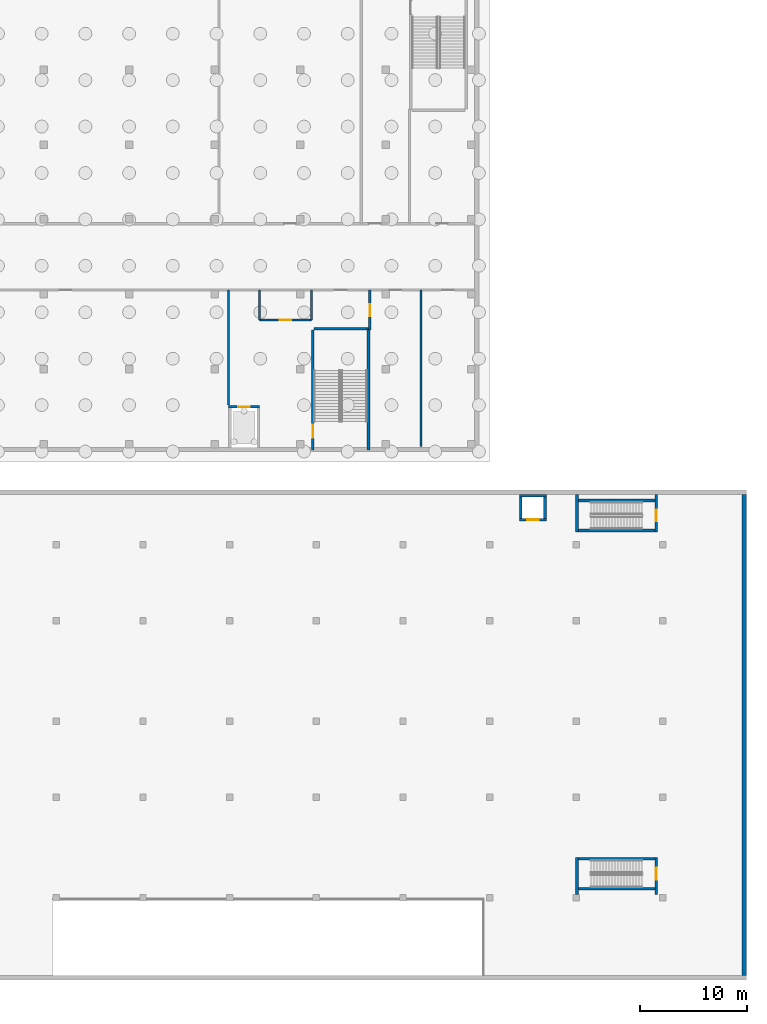
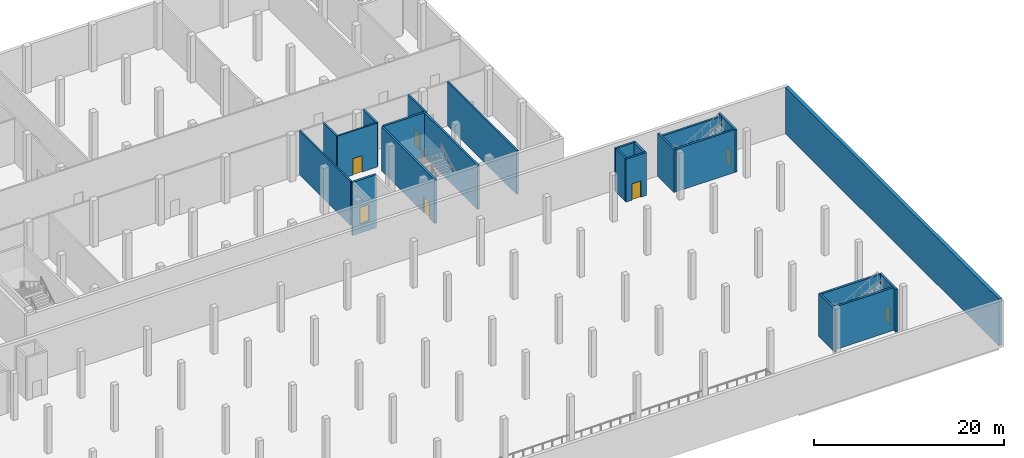
# One storey, part 17 of 45: 23 walls, 7 doors, 7 openings.
"""IFC4 building model written with IfcOpenShell, lengths in metres."""

from ifc_helpers import new_model, si_unit, direction, frame, frame_2d, origin, place, context, subcontext, project, spatial, rectangle, extrude, material, layer, layer_set, type_object, element, fill, save


model = new_model("IFC4")

# Units and contexts
model_context = context("Model", 3, precision=1e-05, world=origin(), true_north=direction((0.0, 1.0)))
body_context = subcontext(model_context, "Body", "Model", "MODEL_VIEW")
ifc_project = project(units=[si_unit("LENGTHUNIT", "METRE"), si_unit("AREAUNIT", "SQUARE_METRE"), si_unit("VOLUMEUNIT", "CUBIC_METRE"), si_unit("PLANEANGLEUNIT", "RADIAN"), si_unit("MASSUNIT", "GRAM", prefix="KILO")], contexts=[model_context])

# Site, building, storey
site_placement = place(None, origin())
site = spatial("IfcSite", under=ifc_project, at=site_placement, CompositionType="ELEMENT")
building_placement = place(site_placement, origin())
building = spatial("IfcBuilding", under=site, at=building_placement, Name="Tamorin Gate", CompositionType="ELEMENT")
storey_placement = place(building_placement, frame((0.0, 0.0, -6.0)))
storey = spatial("IfcBuildingStorey", under=building, at=storey_placement, Name="B1", CompositionType="ELEMENT", Elevation=-6.0)

# Wall, opening, door
ifc_material_1 = material(Name="Dense blockwork, plastered", Category="masonry")
ifc_layer_1 = layer(ifc_material_1, 0.199951171875)
ifc_layer_set_1 = layer_set([ifc_layer_1], Name="Blockwork partition 200")
wall_type_1 = type_object("IfcWallType", Name="Blockwork partition 200", PredefinedType="PARTITIONING", material=ifc_layer_set_1)
wall_1_placement = place(storey_placement, frame((189.89990234375, 67.300048828125, 0.0), z_axis=(0.0, 0.0, 1.0), x_axis=(1.0, 0.0, 0.0)))
wall_1 = element("IfcWall", 1, at=wall_1_placement, inside=storey, type_object=wall_type_1, Name="Partition", PredefinedType="PARTITIONING", context=body_context, shape_type="SweptSolid", body=[
    extrude(rectangle(XDim=4.85009765625, YDim=0.199951171875, at=frame_2d((2.425048828125, 0.0))), origin(), (0.0, 0.0, 1.0), 5.64990234375),
])
opening_1_placement = place(wall_1_placement, frame((1.875, 0.0, 0.0)))
opening_1 = element("IfcOpeningElement", 2, at=opening_1_placement, cuts=wall_1, Name="Opening DM39", PredefinedType="OPENING", context=body_context, shape_type="SweptSolid", body=[
    extrude(rectangle(XDim=1.10009765625, YDim=2.10009765625, at=frame_2d((0.550048828125, 1.050048828125))), frame((0.0, 0.10986328125, 0.0), z_axis=(0.0, -1.0, 0.0), x_axis=(1.0, 0.0, 0.0)), (0.0, 0.0, 1.0), 0.219970703125),
])
ifc_material_2 = material(Name="Steel, painted", Category="steel")
door_type_1 = type_object("IfcDoorType", Name="Museum door 1100x2100", OperationType="SINGLE_SWING_LEFT", PredefinedType="DOOR", material=ifc_material_2)
door_1_placement = place(opening_1_placement, origin())
door_1 = element("IfcDoor", 3, at=door_1_placement, inside=storey, type_object=door_type_1, Name="Door Cleaner's store", OperationType="SINGLE_SWING_LEFT", OverallHeight=2.10009765625, OverallWidth=1.10009765625, PredefinedType="DOOR", context=body_context, shape_type="SweptSolid", body=[
    extrude(rectangle(XDim=1.10009765625, YDim=2.10009765625, at=frame_2d((0.550048828125, 1.050048828125))), frame((0.0, 0.02490234375, 0.0), z_axis=(0.0, -1.0, 0.0), x_axis=(1.0, 0.0, 0.0)), (0.0, 0.0, 1.0), 0.050048828125),
])
fill(opening_1, door_1)

# Walls
wall_2_placement = place(storey_placement, frame((187.0, 59.330078125, 0.0), z_axis=(0.0, 0.0, 1.0), x_axis=(0.0, 1.0, 0.0)))
element("IfcWall", 4, at=wall_2_placement, inside=storey, type_object=wall_type_1, Name="Partition", PredefinedType="PARTITIONING", context=body_context, shape_type="SweptSolid", body=[
    extrude(rectangle(XDim=10.77001953125, YDim=0.199951171875, at=frame_2d((5.385009765625, 0.0))), origin(), (0.0, 0.0, 1.0), 5.64990234375),
])
for number, where, z_axis, x_axis, name in (
    (5, (189.89990234375, 67.300048828125, 0.0), (0.0, 0.0, 1.0), (0.0, 1.0, 0.0), "Partition"),
    (6, (194.75, 67.300048828125, 0.0), (0.0, 0.0, 1.0), (0.0, 1.0, 0.0), "Partition"),
):
    element("IfcWall", number, at=place(storey_placement, frame(where, z_axis=z_axis, x_axis=x_axis)), inside=storey, type_object=wall_type_1, Name=name, PredefinedType="PARTITIONING", context=body_context, shape_type="SweptSolid", body=[
        extrude(rectangle(XDim=2.800048828125, YDim=0.199951171875, at=frame_2d((1.39990234375, 0.0))), origin(), (0.0, 0.0, 1.0), 5.64990234375),
    ])

# Wall, opening, door
wall_3_placement = place(storey_placement, frame((200.199951171875, 66.360107421875, 0.0), z_axis=(0.0, 0.0, 1.0), x_axis=(0.0, 1.0, 0.0)))
wall_3 = element("IfcWall", 7, at=wall_3_placement, inside=storey, type_object=wall_type_1, Name="Partition", PredefinedType="PARTITIONING", context=body_context, shape_type="SweptSolid", body=[
    extrude(rectangle(XDim=3.739990234375, YDim=0.199951171875, at=frame_2d((1.8701171875, 0.0))), origin(), (0.0, 0.0, 1.0), 5.64990234375),
])
opening_2_placement = place(wall_3_placement, frame((1.304931640625, 0.0, 0.0)))
opening_2 = element("IfcOpeningElement", 8, at=opening_2_placement, cuts=wall_3, Name="Opening DM41", PredefinedType="OPENING", context=body_context, shape_type="SweptSolid", body=[
    extrude(rectangle(XDim=1.10009765625, YDim=2.10009765625, at=frame_2d((0.550048828125, 1.050048828125))), frame((0.0, 0.10986328125, 0.0), z_axis=(0.0, -1.0, 0.0), x_axis=(1.0, 0.0, 0.0)), (0.0, 0.0, 1.0), 0.219970703125),
])
door_2_placement = place(opening_2_placement, origin())
door_2 = element("IfcDoor", 9, at=door_2_placement, inside=storey, type_object=door_type_1, Name="Door Quarantine room", OperationType="SINGLE_SWING_LEFT", OverallHeight=2.10009765625, OverallWidth=1.10009765625, PredefinedType="DOOR", context=body_context, shape_type="SweptSolid", body=[
    extrude(rectangle(XDim=1.10009765625, YDim=2.10009765625, at=frame_2d((0.550048828125, 1.050048828125))), frame((0.0, 0.02490234375, 0.0), z_axis=(0.0, -1.0, 0.0), x_axis=(1.0, 0.0, 0.0)), (0.0, 0.0, 1.0), 0.050048828125),
])
fill(opening_2, door_2)

# Walls
wall_4_placement = place(storey_placement, frame((205.0, 55.449951171875, 0.0), z_axis=(0.0, 0.0, 1.0), x_axis=(0.0, 1.0, 0.0)))
element("IfcWall", 10, at=wall_4_placement, inside=storey, type_object=wall_type_1, Name="Partition", PredefinedType="PARTITIONING", context=body_context, shape_type="SweptSolid", body=[
    extrude(rectangle(XDim=14.650146484375, YDim=0.199951171875, at=frame_2d((7.3251953125, 0.0))), origin(), (0.0, 0.0, 1.0), 5.64990234375),
])
ifc_material_3 = material(Name="Concrete C40/50", Category="concrete")
ifc_layer_2 = layer(ifc_material_3, 0.39990234375)
ifc_layer_set_2 = layer_set([ifc_layer_2], Name="Car park retaining wall 400 C40/50")
wall_type_2 = type_object("IfcWallType", Name="Car park retaining wall 400 C40/50", PredefinedType="SHEAR", material=ifc_layer_set_2)
wall_5_placement = place(storey_placement, frame((235.199951171875, 6.0, 0.0), z_axis=(0.0, 0.0, 1.0), x_axis=(0.0, 1.0, 0.0)))
element("IfcWall", 11, at=wall_5_placement, inside=storey, type_object=wall_type_2, Name="Retaining wall B1", PredefinedType="SHEAR", context=body_context, shape_type="SweptSolid", body=[
    extrude(rectangle(XDim=45.0, YDim=0.39990234375, at=frame_2d((22.5, 0.0))), origin(), (0.0, 0.0, 1.0), 6.0),
])

# Wall, opening, door
ifc_layer_3 = layer(ifc_material_3, 0.25)
ifc_layer_set_3 = layer_set([ifc_layer_3], Name="Museum stair and lift enclosure wall 250 C40/50")
wall_type_3 = type_object("IfcWallType", Name="Museum stair and lift enclosure wall 250 C40/50", PredefinedType="SHEAR", material=ifc_layer_set_3)
wall_6_placement = place(storey_placement, frame((194.875, 55.14990234375, 0.0), z_axis=(0.0, 0.0, 1.0), x_axis=(0.0, 1.0, 0.0)))
wall_6 = element("IfcWall", 12, at=wall_6_placement, inside=storey, type_object=wall_type_3, Name="Stair PS7 wall", PredefinedType="SHEAR", context=body_context, shape_type="SweptSolid", body=[
    extrude(rectangle(XDim=11.210205078125, YDim=0.25, at=frame_2d((5.60498046875, 0.0))), origin(), (0.0, 0.0, 1.0), 5.64990234375),
])
opening_3_placement = place(wall_6_placement, frame((1.14990234375, 0.0, 0.0)))
opening_3 = element("IfcOpeningElement", 13, at=opening_3_placement, cuts=wall_6, Name="Opening DM7", PredefinedType="OPENING", context=body_context, shape_type="SweptSolid", body=[
    extrude(rectangle(XDim=1.199951171875, YDim=2.10009765625, at=frame_2d((0.60009765625, 1.050048828125))), frame((0.0, 0.135009765625, 0.0), z_axis=(0.0, -1.0, 0.0), x_axis=(1.0, 0.0, 0.0)), (0.0, 0.0, 1.0), 0.27001953125),
])
door_type_2 = type_object("IfcDoorType", Name="Museum stair door 1200x2100 FD90", OperationType="SINGLE_SWING_LEFT", PredefinedType="DOOR", material=ifc_material_2)
door_3_placement = place(opening_3_placement, origin())
door_3 = element("IfcDoor", 14, at=door_3_placement, inside=storey, type_object=door_type_2, Name="Stair door", OperationType="SINGLE_SWING_LEFT", OverallHeight=2.10009765625, OverallWidth=1.199951171875, PredefinedType="DOOR", context=body_context, shape_type="SweptSolid", body=[
    extrude(rectangle(XDim=1.199951171875, YDim=2.10009765625, at=frame_2d((0.60009765625, 1.050048828125))), frame((0.0, 0.02490234375, 0.0), z_axis=(0.0, -1.0, 0.0), x_axis=(1.0, 0.0, 0.0)), (0.0, 0.0, 1.0), 0.050048828125),
])
fill(opening_3, door_3)

# Walls
wall_7_placement = place(storey_placement, frame((200.074951171875, 55.14990234375, 0.0), z_axis=(0.0, 0.0, 1.0), x_axis=(0.0, 1.0, 0.0)))
element("IfcWall", 15, at=wall_7_placement, inside=storey, type_object=wall_type_3, Name="Stair PS7 wall", PredefinedType="SHEAR", context=body_context, shape_type="SweptSolid", body=[
    extrude(rectangle(XDim=11.460205078125, YDim=0.25, at=frame_2d((5.72998046875, 0.0))), origin(), (0.0, 0.0, 1.0), 5.64990234375),
])
wall_8_placement = place(storey_placement, frame((195.0, 66.485107421875, 0.0), z_axis=(0.0, 0.0, 1.0), x_axis=(1.0, 0.0, 0.0)))
element("IfcWall", 16, at=wall_8_placement, inside=storey, type_object=wall_type_3, Name="Stair PS7 wall", PredefinedType="SHEAR", context=body_context, shape_type="SweptSolid", body=[
    extrude(rectangle(XDim=4.949951171875, YDim=0.25, at=frame_2d((2.47509765625, 0.0))), origin(), (0.0, 0.0, 1.0), 5.64990234375),
])

# Wall, opening, door
wall_9_placement = place(storey_placement, frame((187.0, 59.175048828125, -1.199951171875), z_axis=(0.0, 0.0, 1.0), x_axis=(1.0, 0.0, 0.0)))
wall_9 = element("IfcWall", 17, at=wall_9_placement, inside=storey, type_object=wall_type_3, Name="Lift shaft LM2", PredefinedType="SHEAR", context=body_context, shape_type="SweptSolid", body=[
    extrude(rectangle(XDim=2.89990234375, YDim=0.25, at=frame_2d((1.449951171875, 0.0))), origin(), (0.0, 0.0, 1.0), 6.849853515625),
])
opening_4_placement = place(wall_9_placement, frame((0.89990234375, 0.0, 1.199951171875)))
opening_4 = element("IfcOpeningElement", 18, at=opening_4_placement, cuts=wall_9, Name="Opening LD24", PredefinedType="OPENING", context=body_context, shape_type="SweptSolid", body=[
    extrude(rectangle(XDim=1.10009765625, YDim=2.10009765625, at=frame_2d((0.550048828125, 1.050048828125))), frame((0.0, 0.135009765625, 0.0), z_axis=(0.0, -1.0, 0.0), x_axis=(1.0, 0.0, 0.0)), (0.0, 0.0, 1.0), 0.27001953125),
])
ifc_material_4 = material(Name="Stainless steel", Category="steel")
door_type_3 = type_object("IfcDoorType", Name="Museum lift landing door 1100x2100", OperationType="DOUBLE_DOOR_SLIDING", PredefinedType="DOOR", material=ifc_material_4)
door_4_placement = place(opening_4_placement, origin())
door_4 = element("IfcDoor", 19, at=door_4_placement, inside=storey, type_object=door_type_3, Name="Lift landing door", OperationType="DOUBLE_DOOR_SLIDING", OverallHeight=2.10009765625, OverallWidth=1.10009765625, PredefinedType="DOOR", context=body_context, shape_type="SweptSolid", body=[
    extrude(rectangle(XDim=1.10009765625, YDim=2.10009765625, at=frame_2d((0.550048828125, 1.050048828125))), frame((0.0, 0.02490234375, 0.0), z_axis=(0.0, -1.0, 0.0), x_axis=(1.0, 0.0, 0.0)), (0.0, 0.0, 1.0), 0.050048828125),
])
fill(opening_4, door_4)

# Walls
ifc_layer_4 = layer(ifc_material_3, 0.25)
ifc_layer_set_4 = layer_set([ifc_layer_4], Name="Stair and lift enclosure wall 250 C40/50")
wall_type_4 = type_object("IfcWallType", Name="Stair and lift enclosure wall 250 C40/50", PredefinedType="SHEAR", material=ifc_layer_set_4)
for number, where, z_axis, x_axis, name in (
    (20, (219.68994140625, 14.125, 0.0), (0.0, 0.0, 1.0), (1.0, 0.0, 0.0), "Stair SB8 wall"),
    (21, (219.68994140625, 16.925048828125, 0.0), (0.0, 0.0, 1.0), (1.0, 0.0, 0.0), "Stair SB8 wall"),
):
    element("IfcWall", number, at=place(storey_placement, frame(where, z_axis=z_axis, x_axis=x_axis)), inside=storey, type_object=wall_type_4, Name=name, PredefinedType="SHEAR", context=body_context, shape_type="SweptSolid", body=[
        extrude(rectangle(XDim=7.16015625, YDim=0.25, at=frame_2d((3.580078125, 0.0))), origin(), (0.0, 0.0, 1.0), 5.5),
    ])

# Wall, opening, door
wall_10_placement = place(storey_placement, frame((226.97509765625, 13.60009765625, 0.0), z_axis=(0.0, 0.0, 1.0), x_axis=(0.0, 1.0, 0.0)))
wall_10 = element("IfcWall", 22, at=wall_10_placement, inside=storey, type_object=wall_type_4, Name="Stair SB8 wall", PredefinedType="SHEAR", context=body_context, shape_type="SweptSolid", body=[
    extrude(rectangle(XDim=3.449951171875, YDim=0.25, at=frame_2d((1.72509765625, 0.0))), origin(), (0.0, 0.0, 1.0), 5.5),
])
opening_5_placement = place(wall_10_placement, frame((1.375, 0.0, 0.0)))
opening_5 = element("IfcOpeningElement", 23, at=opening_5_placement, cuts=wall_10, Name="Opening DP8", PredefinedType="OPENING", context=body_context, shape_type="SweptSolid", body=[
    extrude(rectangle(XDim=1.10009765625, YDim=2.10009765625, at=frame_2d((0.550048828125, 1.050048828125))), frame((0.0, 0.135009765625, 0.0), z_axis=(0.0, -1.0, 0.0), x_axis=(1.0, 0.0, 0.0)), (0.0, 0.0, 1.0), 0.27001953125),
])
door_type_4 = type_object("IfcDoorType", Name="Stair door 1100x2100 FD90", OperationType="SINGLE_SWING_LEFT", PredefinedType="DOOR", material=ifc_material_2)
door_5_placement = place(opening_5_placement, origin())
door_5 = element("IfcDoor", 24, at=door_5_placement, inside=storey, type_object=door_type_4, Name="Stair door", OperationType="SINGLE_SWING_RIGHT", OverallHeight=2.10009765625, OverallWidth=1.10009765625, PredefinedType="DOOR", context=body_context, shape_type="SweptSolid", body=[
    extrude(rectangle(XDim=1.10009765625, YDim=2.10009765625, at=frame_2d((0.550048828125, 1.050048828125))), frame((0.0, 0.02490234375, 0.0), z_axis=(0.0, -1.0, 0.0), x_axis=(1.0, 0.0, 0.0)), (0.0, 0.0, 1.0), 0.050048828125),
])
fill(opening_5, door_5)

# Walls
wall_11_placement = place(storey_placement, frame((219.56494140625, 13.60009765625, 0.0), z_axis=(0.0, 0.0, 1.0), x_axis=(0.0, 1.0, 0.0)))
element("IfcWall", 25, at=wall_11_placement, inside=storey, type_object=wall_type_4, Name="Stair SB8 wall", PredefinedType="SHEAR", context=body_context, shape_type="SweptSolid", body=[
    extrude(rectangle(XDim=3.449951171875, YDim=0.25, at=frame_2d((1.72509765625, 0.0))), origin(), (0.0, 0.0, 1.0), 5.5),
])
for number, where, z_axis, x_axis, name in (
    (26, (219.68994140625, 47.625, 0.0), (0.0, 0.0, 1.0), (1.0, 0.0, 0.0), "Stair SB9 wall"),
    (27, (219.68994140625, 50.425048828125, 0.0), (0.0, 0.0, 1.0), (1.0, 0.0, 0.0), "Stair SB9 wall"),
):
    element("IfcWall", number, at=place(storey_placement, frame(where, z_axis=z_axis, x_axis=x_axis)), inside=storey, type_object=wall_type_4, Name=name, PredefinedType="SHEAR", context=body_context, shape_type="SweptSolid", body=[
        extrude(rectangle(XDim=7.16015625, YDim=0.25, at=frame_2d((3.580078125, 0.0))), origin(), (0.0, 0.0, 1.0), 5.5),
    ])

# Wall, opening, door
wall_12_placement = place(storey_placement, frame((226.97509765625, 47.5, 0.0), z_axis=(0.0, 0.0, 1.0), x_axis=(0.0, 1.0, 0.0)))
wall_12 = element("IfcWall", 28, at=wall_12_placement, inside=storey, type_object=wall_type_4, Name="Stair SB9 wall", PredefinedType="SHEAR", context=body_context, shape_type="SweptSolid", body=[
    extrude(rectangle(XDim=3.5, YDim=0.25, at=frame_2d((1.75, 0.0))), origin(), (0.0, 0.0, 1.0), 5.5),
])
opening_6_placement = place(wall_12_placement, frame((0.97509765625, 0.0, 0.0)))
opening_6 = element("IfcOpeningElement", 29, at=opening_6_placement, cuts=wall_12, Name="Opening DP8", PredefinedType="OPENING", context=body_context, shape_type="SweptSolid", body=[
    extrude(rectangle(XDim=1.10009765625, YDim=2.10009765625, at=frame_2d((0.550048828125, 1.050048828125))), frame((0.0, 0.135009765625, 0.0), z_axis=(0.0, -1.0, 0.0), x_axis=(1.0, 0.0, 0.0)), (0.0, 0.0, 1.0), 0.27001953125),
])
door_6_placement = place(opening_6_placement, origin())
door_6 = element("IfcDoor", 30, at=door_6_placement, inside=storey, type_object=door_type_4, Name="Stair door", OperationType="SINGLE_SWING_LEFT", OverallHeight=2.10009765625, OverallWidth=1.10009765625, PredefinedType="DOOR", context=body_context, shape_type="SweptSolid", body=[
    extrude(rectangle(XDim=1.10009765625, YDim=2.10009765625, at=frame_2d((0.550048828125, 1.050048828125))), frame((0.0, 0.02490234375, 0.0), z_axis=(0.0, -1.0, 0.0), x_axis=(1.0, 0.0, 0.0)), (0.0, 0.0, 1.0), 0.050048828125),
])
fill(opening_6, door_6)

# Wall
wall_13_placement = place(storey_placement, frame((219.56494140625, 47.5, 0.0), z_axis=(0.0, 0.0, 1.0), x_axis=(0.0, 1.0, 0.0)))
element("IfcWall", 31, at=wall_13_placement, inside=storey, type_object=wall_type_4, Name="Stair SB9 wall", PredefinedType="SHEAR", context=body_context, shape_type="SweptSolid", body=[
    extrude(rectangle(XDim=3.5, YDim=0.25, at=frame_2d((1.75, 0.0))), origin(), (0.0, 0.0, 1.0), 5.5),
])

# Wall, opening, door
wall_14_placement = place(storey_placement, frame((214.199951171875, 48.625, 0.0), z_axis=(0.0, 0.0, 1.0), x_axis=(1.0, 0.0, 0.0)))
wall_14 = element("IfcWall", 32, at=wall_14_placement, inside=storey, type_object=wall_type_4, Name="Lift shaft LP2", PredefinedType="SHEAR", context=body_context, shape_type="SweptSolid", body=[
    extrude(rectangle(XDim=2.5, YDim=0.25, at=frame_2d((1.25, 0.0))), origin(), (0.0, 0.0, 1.0), 5.5),
])
opening_7_placement = place(wall_14_placement, frame((0.699951171875, 0.0, 0.0)))
opening_7 = element("IfcOpeningElement", 33, at=opening_7_placement, cuts=wall_14, Name="Opening LD23", PredefinedType="OPENING", context=body_context, shape_type="SweptSolid", body=[
    extrude(rectangle(XDim=1.10009765625, YDim=2.10009765625, at=frame_2d((0.550048828125, 1.050048828125))), frame((0.0, 0.135009765625, 0.0), z_axis=(0.0, -1.0, 0.0), x_axis=(1.0, 0.0, 0.0)), (0.0, 0.0, 1.0), 0.27001953125),
])
door_type_5 = type_object("IfcDoorType", Name="Lift landing door 1100x2100", OperationType="DOUBLE_DOOR_SLIDING", PredefinedType="DOOR", material=ifc_material_4)
door_7_placement = place(opening_7_placement, origin())
door_7 = element("IfcDoor", 34, at=door_7_placement, inside=storey, type_object=door_type_5, Name="Lift landing door", OperationType="DOUBLE_DOOR_SLIDING", OverallHeight=2.10009765625, OverallWidth=1.10009765625, PredefinedType="DOOR", context=body_context, shape_type="SweptSolid", body=[
    extrude(rectangle(XDim=1.10009765625, YDim=2.10009765625, at=frame_2d((0.550048828125, 1.050048828125))), frame((0.0, 0.02490234375, 0.0), z_axis=(0.0, -1.0, 0.0), x_axis=(1.0, 0.0, 0.0)), (0.0, 0.0, 1.0), 0.050048828125),
])
fill(opening_7, door_7)

# Walls
wall_15_placement = place(storey_placement, frame((214.199951171875, 50.875, 0.0), z_axis=(0.0, 0.0, 1.0), x_axis=(1.0, 0.0, 0.0)))
element("IfcWall", 35, at=wall_15_placement, inside=storey, type_object=wall_type_4, Name="Lift shaft LP2", PredefinedType="SHEAR", context=body_context, shape_type="SweptSolid", body=[
    extrude(rectangle(XDim=2.5, YDim=0.25, at=frame_2d((1.25, 0.0))), origin(), (0.0, 0.0, 1.0), 5.5),
])
for number, where, z_axis, x_axis, name in (
    (36, (214.324951171875, 48.75, 0.0), (0.0, 0.0, 1.0), (0.0, 1.0, 0.0), "Lift shaft LP2"),
    (37, (216.574951171875, 48.75, 0.0), (0.0, 0.0, 1.0), (0.0, 1.0, 0.0), "Lift shaft LP2"),
):
    element("IfcWall", number, at=place(storey_placement, frame(where, z_axis=z_axis, x_axis=x_axis)), inside=storey, type_object=wall_type_4, Name=name, PredefinedType="SHEAR", context=body_context, shape_type="SweptSolid", body=[
        extrude(rectangle(XDim=2.0, YDim=0.25, at=frame_2d((1.0, 0.0))), origin(), (0.0, 0.0, 1.0), 5.5),
    ])

save(model, "model.ifc")
